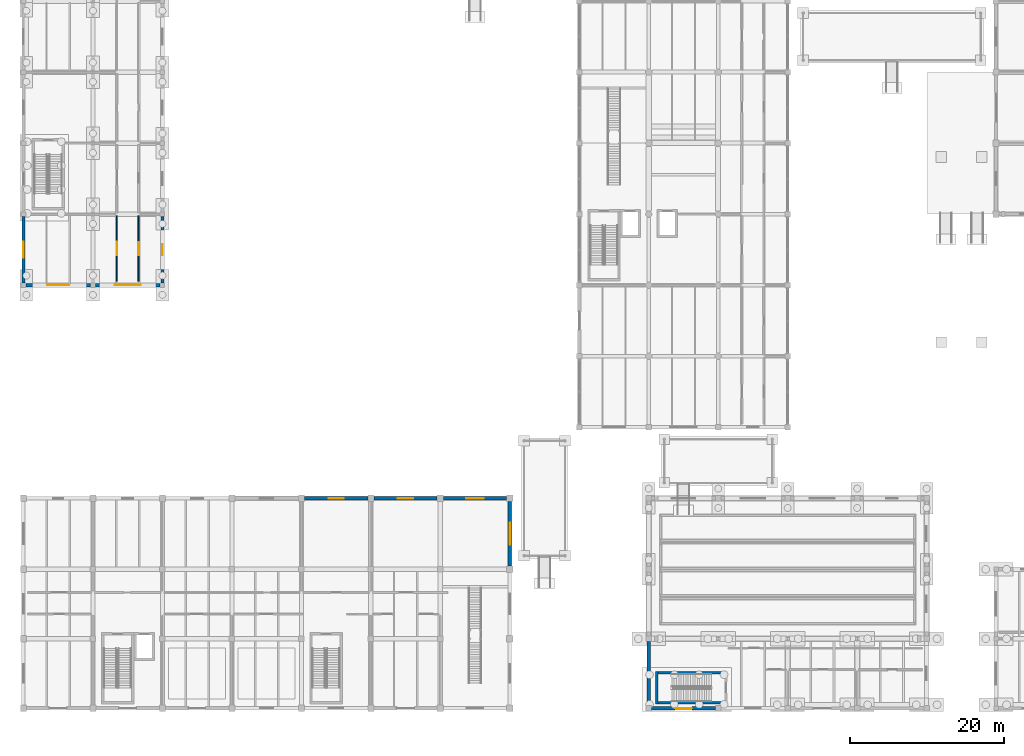
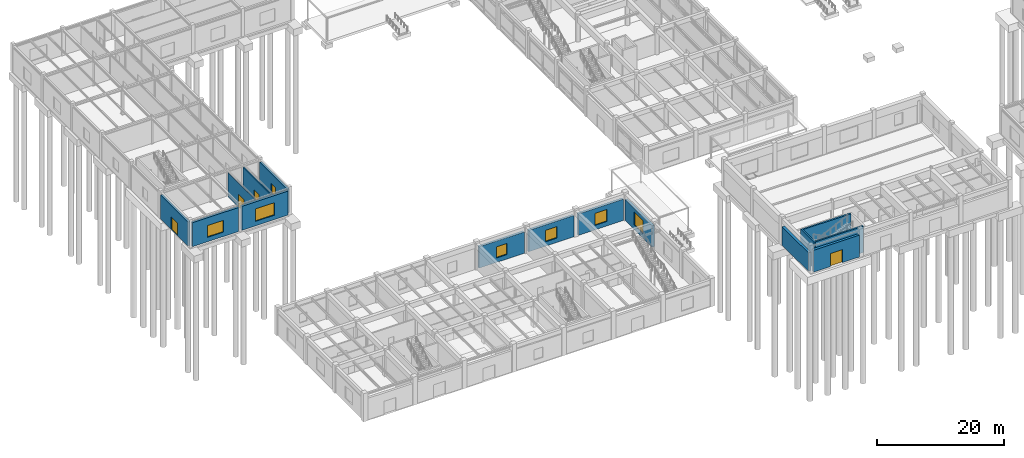
# One storey, part 55 of 76: 15 walls, 7 windows, 4 doors, 11 openings.
"""IFC4 building model written with IfcOpenShell, lengths in metres."""

from ifc_helpers import new_model, si_unit, direction, frame, frame_2d, origin, place, context, subcontext, project, spatial, rectangle, extrude, material, layer, layer_set, type_object, element, fill, save


model = new_model("IFC4")

# Units and contexts
model_context = context("Model", 3, precision=1e-05, world=origin(), true_north=direction((0.0, 1.0)))
body_context = subcontext(model_context, "Body", "Model", "MODEL_VIEW")
ifc_project = project(units=[si_unit("LENGTHUNIT", "METRE"), si_unit("AREAUNIT", "SQUARE_METRE"), si_unit("VOLUMEUNIT", "CUBIC_METRE"), si_unit("PLANEANGLEUNIT", "RADIAN"), si_unit("MASSUNIT", "GRAM", prefix="KILO")], contexts=[model_context])

# Site, building, storey
site_placement = place(None, origin())
site = spatial("IfcSite", under=ifc_project, at=site_placement, CompositionType="ELEMENT")
building_placement = place(site_placement, origin())
building = spatial("IfcBuilding", under=site, at=building_placement, Name="Bozkorgan Art Gallery", CompositionType="ELEMENT")
storey_placement = place(building_placement, origin())
storey = spatial("IfcBuildingStorey", under=building, at=storey_placement, Name="L00", CompositionType="ELEMENT", Elevation=0.0)

# Walls
ifc_material_1 = material(Name="Concrete C40/50", Category="concrete")
ifc_layer_1 = layer(ifc_material_1, 0.300048828125, Name="Concrete C40/50")
ifc_layer_set_1 = layer_set([ifc_layer_1], Name="Concrete C40/50")
wall_type_1 = type_object("IfcWallType", Name="IWALL-CW-44", PredefinedType="SHEAR", material=ifc_layer_set_1)
wall_1_placement = place(storey_placement, frame((84.050048828125, 2.550048828125, 0.0), z_axis=(0.0, 0.0, 1.0), x_axis=(0.0, 1.0, 0.0)))
element("IfcWall", 1, at=wall_1_placement, inside=storey, type_object=wall_type_1, Name="CORE6 L00 stair core W shear wall", PredefinedType="SHEAR", context=body_context, shape_type="SweptSolid", body=[
    extrude(rectangle(XDim=4.199951171875, YDim=0.300048828125, at=frame_2d((2.10009765625, 0.0))), origin(), (0.0, 0.0, 1.0), 5.06005859375),
])
for number, where, z_axis, x_axis, name in (
    (2, (84.199951171875, 2.699951171875, 0.0), (0.0, 0.0, 1.0), (1.0, 0.0, 0.0), "CORE6 L00 stair core S shear wall"),
    (3, (84.199951171875, 6.60009765625, 0.0), (0.0, 0.0, 1.0), (1.0, 0.0, 0.0), "CORE6 L00 stair core N shear wall"),
):
    element("IfcWall", number, at=place(storey_placement, frame(where, z_axis=z_axis, x_axis=x_axis)), inside=storey, type_object=wall_type_1, Name=name, PredefinedType="SHEAR", context=body_context, shape_type="SweptSolid", body=[
        extrude(rectangle(XDim=8.650146484375, YDim=0.300048828125, at=frame_2d((4.3251953125, 0.0))), origin(), (0.0, 0.0, 1.0), 5.06005859375),
    ])

# Wall, opening, door
ifc_material_2 = material(Name="Acoustic Gypsum & Mineral Wool Partition")
ifc_layer_2 = layer(ifc_material_2, 0.18994140625, Name="Acoustic Gypsum & Mineral Wool Partition")
ifc_layer_set_2 = layer_set([ifc_layer_2], Name="Acoustic Gypsum & Mineral Wool Partition")
wall_type_2 = type_object("IfcWallType", Name="IWALL-PR-66", PredefinedType="PARTITIONING", material=ifc_layer_set_2)
wall_2_placement = place(storey_placement, frame((16.89990234375, 57.340087890625, 0.0), z_axis=(0.0, 0.0, 1.0), x_axis=(0.0, 1.0, 0.0)))
wall_2 = element("IfcWall", 4, at=wall_2_placement, inside=storey, type_object=wall_type_2, Name="V2 L00 acoustic partition wall 135", PredefinedType="PARTITIONING", context=body_context, shape_type="SweptSolid", body=[
    extrude(rectangle(XDim=8.43994140625, YDim=0.18994140625, at=frame_2d((4.219970703125, 0.0))), origin(), (0.0, 0.0, 1.0), 4.60498046875),
])
opening_1_placement = place(wall_2_placement, frame((3.36767578125, 0.0, 0.0)))
opening_1 = element("IfcOpeningElement", 5, at=opening_1_placement, cuts=wall_2, Name="Opening GD-38", PredefinedType="OPENING", context=body_context, shape_type="SweptSolid", body=[
    extrude(rectangle(XDim=1.659912109375, YDim=2.419921875, at=frame_2d((0.830078125, 1.2099609375))), frame((0.0, 0.10498046875, 0.0), z_axis=(0.0, -1.0, 0.0), x_axis=(1.0, 0.0, 0.0)), (0.0, 0.0, 1.0), 0.2099609375),
])
ifc_material_3 = material(Name="Oiled European Oak Joinery")
door_type_1 = type_object("IfcDoorType", Name="IDOOR-GD-38", OperationType="NOTDEFINED", PredefinedType="DOOR", material=ifc_material_3)
door_1_placement = place(opening_1_placement, origin())
door_1 = element("IfcDoor", 6, at=door_1_placement, inside=storey, type_object=door_type_1, Name="Curatorial Study Gallery Door", OperationType="DOUBLE_DOOR_SINGLE_SWING", OverallHeight=2.419921875, OverallWidth=1.659912109375, PredefinedType="DOOR", context=body_context, shape_type="SweptSolid", body=[
    extrude(rectangle(XDim=1.659912109375, YDim=2.419921875, at=frame_2d((0.830078125, 1.2099609375))), frame((0.0, 0.02490234375, 0.0), z_axis=(0.0, -1.0, 0.0), x_axis=(1.0, 0.0, 0.0)), (0.0, 0.0, 1.0), 0.050048828125),
])
fill(opening_1, door_1)

ifc_layer_3 = layer(ifc_material_2, 0.1298828125, Name="Acoustic Gypsum & Mineral Wool Partition")
ifc_layer_set_3 = layer_set([ifc_layer_3], Name="Acoustic Gypsum & Mineral Wool Partition")
wall_type_3 = type_object("IfcWallType", Name="IWALL-PR-76", PredefinedType="PARTITIONING", material=ifc_layer_set_3)
wall_3_placement = place(storey_placement, frame((14.10009765625, 57.340087890625, 0.0), z_axis=(0.0, 0.0, 1.0), x_axis=(0.0, 1.0, 0.0)))
wall_3 = element("IfcWall", 7, at=wall_3_placement, inside=storey, type_object=wall_type_3, Name="V2 L00 acoustic partition wall 126", PredefinedType="PARTITIONING", context=body_context, shape_type="SweptSolid", body=[
    extrude(rectangle(XDim=8.43994140625, YDim=0.1298828125, at=frame_2d((4.219970703125, 0.0))), origin(), (0.0, 0.0, 1.0), 4.60498046875),
])
opening_2_placement = place(wall_3_placement, frame((5.067626953125, 0.0, 0.0), z_axis=(0.0, 0.0, 1.0), x_axis=(-1.0, 0.0, 0.0)))
opening_2 = element("IfcOpeningElement", 8, at=opening_2_placement, cuts=wall_3, Name="Opening GD-55", PredefinedType="OPENING", context=body_context, shape_type="SweptSolid", body=[
    extrude(rectangle(XDim=1.699951171875, YDim=2.43994140625, at=frame_2d((0.85009765625, 1.219970703125))), frame((0.0, 0.074951171875, 0.0), z_axis=(0.0, -1.0, 0.0), x_axis=(1.0, 0.0, 0.0)), (0.0, 0.0, 1.0), 0.14990234375),
])
door_type_2 = type_object("IfcDoorType", Name="IDOOR-GD-55", OperationType="NOTDEFINED", PredefinedType="DOOR", material=ifc_material_3)
door_2_placement = place(opening_2_placement, origin())
door_2 = element("IfcDoor", 9, at=door_2_placement, inside=storey, type_object=door_type_2, Name="Sculpture Cloister Gallery Door", OperationType="DOUBLE_DOOR_SINGLE_SWING", OverallHeight=2.43994140625, OverallWidth=1.699951171875, PredefinedType="DOOR", context=body_context, shape_type="SweptSolid", body=[
    extrude(rectangle(XDim=1.699951171875, YDim=2.43994140625, at=frame_2d((0.85009765625, 1.219970703125))), frame((0.0, 0.02490234375, 0.0), z_axis=(0.0, -1.0, 0.0), x_axis=(1.0, 0.0, 0.0)), (0.0, 0.0, 1.0), 0.050048828125),
])
fill(opening_2, door_2)

ifc_material_4 = material(Name="Kordai Rose Granite Ashlar", Category="masonry")
ifc_layer_4 = layer(ifc_material_4, 0.449951171875, Name="Kordai Rose Granite Ashlar")
ifc_layer_set_4 = layer_set([ifc_layer_4], Name="Kordai Rose Granite Ashlar")
wall_type_4 = type_object("IfcWallType", Name="WALL-EA-38", PredefinedType="STANDARD", material=ifc_layer_set_4)
wall_4_placement = place(storey_placement, frame((83.35009765625, 2.0, 0.0), z_axis=(0.0, 0.0, 1.0), x_axis=(1.0, 0.0, 0.0)))
wall_4 = element("IfcWall", 10, at=wall_4_placement, inside=storey, type_object=wall_type_4, Name="V3 L00 entrance portal wall (ED05)", PredefinedType="STANDARD", context=body_context, shape_type="SweptSolid", body=[
    extrude(rectangle(XDim=8.2998046875, YDim=0.449951171875, at=frame_2d((4.14990234375, 0.0))), origin(), (0.0, 0.0, 1.0), 4.195068359375),
])
opening_3_placement = place(wall_4_placement, frame((5.25, 0.0, 0.0), z_axis=(0.0, 0.0, 1.0), x_axis=(-1.0, 0.0, 0.0)))
opening_3 = element("IfcOpeningElement", 11, at=opening_3_placement, cuts=wall_4, Name="Opening ED-97", PredefinedType="OPENING", context=body_context, shape_type="SweptSolid", body=[
    extrude(rectangle(XDim=2.199951171875, YDim=2.5, at=frame_2d((1.10009765625, 1.25))), frame((0.0, 0.23486328125, 0.0), z_axis=(0.0, -1.0, 0.0), x_axis=(1.0, 0.0, 0.0)), (0.0, 0.0, 1.0), 0.469970703125),
])
ifc_material_5 = material(Name="Anodised Bronze Aluminium", Category="aluminium")
door_type_3 = type_object("IfcDoorType", Name="DOOR-ED-97", OperationType="NOTDEFINED", PredefinedType="DOOR", material=ifc_material_5)
door_3_placement = place(opening_3_placement, origin())
door_3 = element("IfcDoor", 12, at=door_3_placement, inside=storey, type_object=door_type_3, Name="ED05 Final Exit Portal Door", OperationType="DOUBLE_DOOR_SINGLE_SWING", OverallHeight=2.5, OverallWidth=2.199951171875, PredefinedType="DOOR", context=body_context, shape_type="SweptSolid", body=[
    extrude(rectangle(XDim=2.199951171875, YDim=2.5, at=frame_2d((1.10009765625, 1.25))), frame((0.0, 0.02490234375, 0.0), z_axis=(0.0, -1.0, 0.0), x_axis=(1.0, 0.0, 0.0)), (0.0, 0.0, 1.0), 0.050048828125),
])
fill(opening_3, door_3)

ifc_layer_5 = layer(ifc_material_4, 0.39990234375, Name="Kordai Rose Granite Ashlar")
ifc_layer_set_5 = layer_set([ifc_layer_5], Name="Kordai Rose Granite Ashlar")
wall_type_5 = type_object("IfcWallType", Name="WALL-EW-92", PredefinedType="STANDARD", material=ifc_layer_set_5)
wall_5_placement = place(storey_placement, frame((2.0, 57.10009765625, 0.0), z_axis=(0.0, 0.0, 1.0), x_axis=(0.0, 1.0, 0.0)))
wall_5 = element("IfcWall", 13, at=wall_5_placement, inside=storey, type_object=wall_type_5, Name="V2 L00 entrance portal wall (ED03)", PredefinedType="STANDARD", context=body_context, shape_type="SweptSolid", body=[
    extrude(rectangle(XDim=8.599853515625, YDim=0.39990234375, at=frame_2d((4.2998046875, 0.0))), origin(), (0.0, 0.0, 1.0), 4.60498046875),
])
opening_4_placement = place(wall_5_placement, frame((3.27490234375, 0.0, 0.0)))
opening_4 = element("IfcOpeningElement", 14, at=opening_4_placement, cuts=wall_5, Name="Opening ED-19", PredefinedType="OPENING", context=body_context, shape_type="SweptSolid", body=[
    extrude(rectangle(XDim=2.050048828125, YDim=2.449951171875, at=frame_2d((1.02490234375, 1.22509765625))), frame((0.0, 0.2099609375, 0.0), z_axis=(0.0, -1.0, 0.0), x_axis=(1.0, 0.0, 0.0)), (0.0, 0.0, 1.0), 0.419921875),
])
door_type_4 = type_object("IfcDoorType", Name="DOOR-ED-19", OperationType="NOTDEFINED", PredefinedType="DOOR", material=ifc_material_5)
door_4_placement = place(opening_4_placement, origin())
door_4 = element("IfcDoor", 15, at=door_4_placement, inside=storey, type_object=door_type_4, Name="ED03 Final Exit Portal Door", OperationType="DOUBLE_DOOR_SINGLE_SWING", OverallHeight=2.449951171875, OverallWidth=2.050048828125, PredefinedType="DOOR", context=body_context, shape_type="SweptSolid", body=[
    extrude(rectangle(XDim=2.050048828125, YDim=2.449951171875, at=frame_2d((1.02490234375, 1.22509765625))), frame((0.0, 0.02490234375, 0.0), z_axis=(0.0, -1.0, 0.0), x_axis=(1.0, 0.0, 0.0)), (0.0, 0.0, 1.0), 0.050048828125),
])
fill(opening_4, door_4)

# Wall
ifc_layer_6 = layer(ifc_material_4, 0.449951171875, Name="Kordai Rose Granite Ashlar")
ifc_layer_set_6 = layer_set([ifc_layer_6], Name="Kordai Rose Granite Ashlar")
wall_type_6 = type_object("IfcWallType", Name="WALL-WA-47", PredefinedType="STANDARD", material=ifc_layer_set_6)
wall_6_placement = place(storey_placement, frame((83.0, 2.35009765625, 0.0), z_axis=(0.0, 0.0, 1.0), x_axis=(0.0, 1.0, 0.0)))
element("IfcWall", 16, at=wall_6_placement, inside=storey, type_object=wall_type_6, Name="V3 L00 exterior facade wall 1W-9", PredefinedType="STANDARD", context=body_context, shape_type="SweptSolid", body=[
    extrude(rectangle(XDim=8.2998046875, YDim=0.449951171875, at=frame_2d((4.14990234375, 0.0))), origin(), (0.0, 0.0, 1.0), 3.544921875),
])

# Wall, opening, window
ifc_layer_7 = layer(ifc_material_4, 0.419921875, Name="Kordai Rose Granite Ashlar")
ifc_layer_set_7 = layer_set([ifc_layer_7], Name="Kordai Rose Granite Ashlar")
wall_type_7 = type_object("IfcWallType", Name="WALL-WG-54", PredefinedType="STANDARD", material=ifc_layer_set_7)
wall_7_placement = place(storey_placement, frame((38.39990234375, 29.199951171875, 0.0), z_axis=(0.0, 0.0, 1.0), x_axis=(1.0, 0.0, 0.0)))
wall_7 = element("IfcWall", 17, at=wall_7_placement, inside=storey, type_object=wall_type_7, Name="V1 L00 exterior facade wall 1N-10", PredefinedType="STANDARD", context=body_context, shape_type="SweptSolid", body=[
    extrude(rectangle(XDim=8.2001953125, YDim=0.419921875, at=frame_2d((4.10009765625, 0.0))), origin(), (0.0, 0.0, 1.0), 4.094970703125),
])
opening_5_placement = place(wall_7_placement, frame((3.125, 0.0, 0.85009765625)))
opening_5 = element("IfcOpeningElement", 18, at=opening_5_placement, cuts=wall_7, Name="Opening WN-18", PredefinedType="OPENING", context=body_context, shape_type="SweptSolid", body=[
    extrude(rectangle(XDim=1.949951171875, YDim=2.14990234375, at=frame_2d((0.97509765625, 1.074951171875))), frame((0.0, 0.219970703125, 0.0), z_axis=(0.0, -1.0, 0.0), x_axis=(1.0, 0.0, 0.0)), (0.0, 0.0, 1.0), 0.43994140625),
])
ifc_material_6 = material(Name="Triple Low-E Laminated Glass", Category="glass")
window_type_1 = type_object("IfcWindowType", Name="WIN-WN-18", PartitioningType="SINGLE_PANEL", PredefinedType="WINDOW", material=ifc_material_6)
window_1_placement = place(opening_5_placement, origin())
window_1 = element("IfcWindow", 19, at=window_1_placement, inside=storey, type_object=window_type_1, Name="V1 L00 gallery window 1N-10", OverallHeight=2.14990234375, OverallWidth=1.949951171875, PartitioningType="SINGLE_PANEL", PredefinedType="WINDOW", context=body_context, shape_type="SweptSolid", body=[
    extrude(rectangle(XDim=1.949951171875, YDim=2.14990234375, at=frame_2d((0.97509765625, 1.074951171875))), frame((0.0, 0.030029296875, 0.0), z_axis=(0.0, -1.0, 0.0), x_axis=(1.0, 0.0, 0.0)), (0.0, 0.0, 1.0), 0.06005859375),
])
fill(opening_5, window_1)

wall_8_placement = place(storey_placement, frame((47.39990234375, 29.199951171875, 0.0), z_axis=(0.0, 0.0, 1.0), x_axis=(1.0, 0.0, 0.0)))
wall_8 = element("IfcWall", 20, at=wall_8_placement, inside=storey, type_object=wall_type_7, Name="V1 L00 exterior facade wall 1N-12", PredefinedType="STANDARD", context=body_context, shape_type="SweptSolid", body=[
    extrude(rectangle(XDim=8.2001953125, YDim=0.419921875, at=frame_2d((4.10009765625, 0.0))), origin(), (0.0, 0.0, 1.0), 4.094970703125),
])
opening_6_placement = place(wall_8_placement, frame((3.074951171875, 0.0, 0.85009765625)))
opening_6 = element("IfcOpeningElement", 21, at=opening_6_placement, cuts=wall_8, Name="Opening WN-39", PredefinedType="OPENING", context=body_context, shape_type="SweptSolid", body=[
    extrude(rectangle(XDim=2.050048828125, YDim=2.199951171875, at=frame_2d((1.02490234375, 1.10009765625))), frame((0.0, 0.219970703125, 0.0), z_axis=(0.0, -1.0, 0.0), x_axis=(1.0, 0.0, 0.0)), (0.0, 0.0, 1.0), 0.43994140625),
])
window_type_2 = type_object("IfcWindowType", Name="WIN-WN-39", PartitioningType="SINGLE_PANEL", PredefinedType="WINDOW", material=ifc_material_6)
window_2_placement = place(opening_6_placement, origin())
window_2 = element("IfcWindow", 22, at=window_2_placement, inside=storey, type_object=window_type_2, Name="V1 L00 gallery window 1N-12", OverallHeight=2.199951171875, OverallWidth=2.050048828125, PartitioningType="SINGLE_PANEL", PredefinedType="WINDOW", context=body_context, shape_type="SweptSolid", body=[
    extrude(rectangle(XDim=2.050048828125, YDim=2.199951171875, at=frame_2d((1.02490234375, 1.10009765625))), frame((0.0, 0.030029296875, 0.0), z_axis=(0.0, -1.0, 0.0), x_axis=(1.0, 0.0, 0.0)), (0.0, 0.0, 1.0), 0.06005859375),
])
fill(opening_6, window_2)

wall_9_placement = place(storey_placement, frame((56.39990234375, 29.199951171875, 0.0), z_axis=(0.0, 0.0, 1.0), x_axis=(1.0, 0.0, 0.0)))
wall_9 = element("IfcWall", 23, at=wall_9_placement, inside=storey, type_object=wall_type_7, Name="V1 L00 exterior facade wall 1N-14", PredefinedType="STANDARD", context=body_context, shape_type="SweptSolid", body=[
    extrude(rectangle(XDim=8.2001953125, YDim=0.419921875, at=frame_2d((4.10009765625, 0.0))), origin(), (0.0, 0.0, 1.0), 4.094970703125),
])
opening_7_placement = place(wall_9_placement, frame((2.97509765625, 0.0, 0.85009765625)))
opening_7 = element("IfcOpeningElement", 24, at=opening_7_placement, cuts=wall_9, Name="Opening WN-97", PredefinedType="OPENING", context=body_context, shape_type="SweptSolid", body=[
    extrude(rectangle(XDim=2.25, YDim=2.300048828125, at=frame_2d((1.125, 1.14990234375))), frame((0.0, 0.219970703125, 0.0), z_axis=(0.0, -1.0, 0.0), x_axis=(1.0, 0.0, 0.0)), (0.0, 0.0, 1.0), 0.43994140625),
])
window_type_3 = type_object("IfcWindowType", Name="WIN-WN-97", PartitioningType="SINGLE_PANEL", PredefinedType="WINDOW", material=ifc_material_6)
window_3_placement = place(opening_7_placement, origin())
window_3 = element("IfcWindow", 25, at=window_3_placement, inside=storey, type_object=window_type_3, Name="V1 L00 gallery window 1N-14", OverallHeight=2.300048828125, OverallWidth=2.25, PartitioningType="SINGLE_PANEL", PredefinedType="WINDOW", context=body_context, shape_type="SweptSolid", body=[
    extrude(rectangle(XDim=2.25, YDim=2.300048828125, at=frame_2d((1.125, 1.14990234375))), frame((0.0, 0.030029296875, 0.0), z_axis=(0.0, -1.0, 0.0), x_axis=(1.0, 0.0, 0.0)), (0.0, 0.0, 1.0), 0.06005859375),
])
fill(opening_7, window_3)

wall_10_placement = place(storey_placement, frame((65.0, 20.39990234375, 0.0), z_axis=(0.0, 0.0, 1.0), x_axis=(0.0, 1.0, 0.0)))
wall_10 = element("IfcWall", 26, at=wall_10_placement, inside=storey, type_object=wall_type_7, Name="V1 L00 exterior facade wall 1E-20", PredefinedType="STANDARD", context=body_context, shape_type="SweptSolid", body=[
    extrude(rectangle(XDim=8.400146484375, YDim=0.419921875, at=frame_2d((4.2001953125, 0.0))), origin(), (0.0, 0.0, 1.0), 4.094970703125),
])
opening_8_placement = place(wall_10_placement, frame((5.625, 0.0, 0.85009765625), z_axis=(0.0, 0.0, 1.0), x_axis=(-1.0, 0.0, 0.0)))
opening_8 = element("IfcOpeningElement", 27, at=opening_8_placement, cuts=wall_10, Name="Opening WN-82", PredefinedType="OPENING", context=body_context, shape_type="SweptSolid", body=[
    extrude(rectangle(XDim=2.85009765625, YDim=2.5, at=frame_2d((1.425048828125, 1.25))), frame((0.0, 0.219970703125, 0.0), z_axis=(0.0, -1.0, 0.0), x_axis=(1.0, 0.0, 0.0)), (0.0, 0.0, 1.0), 0.43994140625),
])
window_type_4 = type_object("IfcWindowType", Name="WIN-WN-82", PartitioningType="SINGLE_PANEL", PredefinedType="WINDOW", material=ifc_material_6)
window_4_placement = place(opening_8_placement, origin())
window_4 = element("IfcWindow", 28, at=window_4_placement, inside=storey, type_object=window_type_4, Name="V1 L00 gallery window 1E-20", OverallHeight=2.5, OverallWidth=2.85009765625, PartitioningType="SINGLE_PANEL", PredefinedType="WINDOW", context=body_context, shape_type="SweptSolid", body=[
    extrude(rectangle(XDim=2.85009765625, YDim=2.5, at=frame_2d((1.425048828125, 1.25))), frame((0.0, 0.030029296875, 0.0), z_axis=(0.0, -1.0, 0.0), x_axis=(1.0, 0.0, 0.0)), (0.0, 0.0, 1.0), 0.06005859375),
])
fill(opening_8, window_4)

wall_11_placement = place(storey_placement, frame((20.0, 57.10009765625, 0.0), z_axis=(0.0, 0.0, 1.0), x_axis=(0.0, 1.0, 0.0)))
wall_11 = element("IfcWall", 29, at=wall_11_placement, inside=storey, type_object=wall_type_7, Name="V2 L00 exterior facade wall 1E-6", PredefinedType="STANDARD", context=body_context, shape_type="SweptSolid", body=[
    extrude(rectangle(XDim=8.599853515625, YDim=0.419921875, at=frame_2d((4.2998046875, 0.0))), origin(), (0.0, 0.0, 1.0), 4.60498046875),
])
opening_9_placement = place(wall_11_placement, frame((5.02490234375, 0.0, 0.85009765625), z_axis=(0.0, 0.0, 1.0), x_axis=(-1.0, 0.0, 0.0)))
opening_9 = element("IfcOpeningElement", 30, at=opening_9_placement, cuts=wall_11, Name="Opening WN-34", PredefinedType="OPENING", context=body_context, shape_type="SweptSolid", body=[
    extrude(rectangle(XDim=1.449951171875, YDim=1.85009765625, at=frame_2d((0.72509765625, 0.925048828125))), frame((0.0, 0.219970703125, 0.0), z_axis=(0.0, -1.0, 0.0), x_axis=(1.0, 0.0, 0.0)), (0.0, 0.0, 1.0), 0.43994140625),
])
window_type_5 = type_object("IfcWindowType", Name="WIN-WN-34", PartitioningType="SINGLE_PANEL", PredefinedType="WINDOW", material=ifc_material_6)
window_5_placement = place(opening_9_placement, origin())
window_5 = element("IfcWindow", 31, at=window_5_placement, inside=storey, type_object=window_type_5, Name="V2 L00 gallery window 1E-6", OverallHeight=1.85009765625, OverallWidth=1.449951171875, PartitioningType="SINGLE_PANEL", PredefinedType="WINDOW", context=body_context, shape_type="SweptSolid", body=[
    extrude(rectangle(XDim=1.449951171875, YDim=1.85009765625, at=frame_2d((0.72509765625, 0.925048828125))), frame((0.0, 0.030029296875, 0.0), z_axis=(0.0, -1.0, 0.0), x_axis=(1.0, 0.0, 0.0)), (0.0, 0.0, 1.0), 0.06005859375),
])
fill(opening_9, window_5)

ifc_layer_8 = layer(ifc_material_4, 0.39990234375, Name="Kordai Rose Granite Ashlar")
ifc_layer_set_8 = layer_set([ifc_layer_8], Name="Kordai Rose Granite Ashlar")
wall_type_8 = type_object("IfcWallType", Name="WALL-WG-66", PredefinedType="STANDARD", material=ifc_layer_set_8)
wall_12_placement = place(storey_placement, frame((2.300048828125, 56.800048828125, 0.0), z_axis=(0.0, 0.0, 1.0), x_axis=(1.0, 0.0, 0.0)))
wall_12 = element("IfcWall", 32, at=wall_12_placement, inside=storey, type_object=wall_type_8, Name="V2 L00 exterior facade wall 1S-1", PredefinedType="STANDARD", context=body_context, shape_type="SweptSolid", body=[
    extrude(rectangle(XDim=8.39990234375, YDim=0.39990234375, at=frame_2d((4.199951171875, 0.0))), origin(), (0.0, 0.0, 1.0), 4.60498046875),
])
opening_10_placement = place(wall_12_placement, frame((5.64990234375, 0.0, 0.85009765625), z_axis=(0.0, 0.0, 1.0), x_axis=(-1.0, 0.0, 0.0)))
opening_10 = element("IfcOpeningElement", 33, at=opening_10_placement, cuts=wall_12, Name="Opening WN-54", PredefinedType="OPENING", context=body_context, shape_type="SweptSolid", body=[
    extrude(rectangle(XDim=2.89990234375, YDim=2.25, at=frame_2d((1.449951171875, 1.125))), frame((0.0, 0.2099609375, 0.0), z_axis=(0.0, -1.0, 0.0), x_axis=(1.0, 0.0, 0.0)), (0.0, 0.0, 1.0), 0.419921875),
])
window_type_6 = type_object("IfcWindowType", Name="WIN-WN-54", PartitioningType="SINGLE_PANEL", PredefinedType="WINDOW", material=ifc_material_6)
window_6_placement = place(opening_10_placement, origin())
window_6 = element("IfcWindow", 34, at=window_6_placement, inside=storey, type_object=window_type_6, Name="V2 L00 gallery window 1S-1", OverallHeight=2.25, OverallWidth=2.89990234375, PartitioningType="SINGLE_PANEL", PredefinedType="WINDOW", context=body_context, shape_type="SweptSolid", body=[
    extrude(rectangle(XDim=2.89990234375, YDim=2.25, at=frame_2d((1.449951171875, 1.125))), frame((0.0, 0.030029296875, 0.0), z_axis=(0.0, -1.0, 0.0), x_axis=(1.0, 0.0, 0.0)), (0.0, 0.0, 1.0), 0.06005859375),
])
fill(opening_10, window_6)

wall_13_placement = place(storey_placement, frame((11.300048828125, 56.800048828125, 0.0), z_axis=(0.0, 0.0, 1.0), x_axis=(1.0, 0.0, 0.0)))
wall_13 = element("IfcWall", 35, at=wall_13_placement, inside=storey, type_object=wall_type_8, Name="V2 L00 exterior facade wall 1S-3", PredefinedType="STANDARD", context=body_context, shape_type="SweptSolid", body=[
    extrude(rectangle(XDim=8.39990234375, YDim=0.39990234375, at=frame_2d((4.199951171875, 0.0))), origin(), (0.0, 0.0, 1.0), 4.60498046875),
])
opening_11_placement = place(wall_13_placement, frame((5.89990234375, 0.0, 0.85009765625), z_axis=(0.0, 0.0, 1.0), x_axis=(-1.0, 0.0, 0.0)))
opening_11 = element("IfcOpeningElement", 36, at=opening_11_placement, cuts=wall_13, Name="Opening WN-90", PredefinedType="OPENING", context=body_context, shape_type="SweptSolid", body=[
    extrude(rectangle(XDim=3.39990234375, YDim=2.39990234375, at=frame_2d((1.699951171875, 1.199951171875))), frame((0.0, 0.2099609375, 0.0), z_axis=(0.0, -1.0, 0.0), x_axis=(1.0, 0.0, 0.0)), (0.0, 0.0, 1.0), 0.419921875),
])
window_type_7 = type_object("IfcWindowType", Name="WIN-WN-90", PartitioningType="SINGLE_PANEL", PredefinedType="WINDOW", material=ifc_material_6)
window_7_placement = place(opening_11_placement, origin())
window_7 = element("IfcWindow", 37, at=window_7_placement, inside=storey, type_object=window_type_7, Name="V2 L00 gallery window 1S-3", OverallHeight=2.39990234375, OverallWidth=3.39990234375, PartitioningType="SINGLE_PANEL", PredefinedType="WINDOW", context=body_context, shape_type="SweptSolid", body=[
    extrude(rectangle(XDim=3.39990234375, YDim=2.39990234375, at=frame_2d((1.699951171875, 1.199951171875))), frame((0.0, 0.030029296875, 0.0), z_axis=(0.0, -1.0, 0.0), x_axis=(1.0, 0.0, 0.0)), (0.0, 0.0, 1.0), 0.06005859375),
])
fill(opening_11, window_7)

save(model, "model.ifc")
